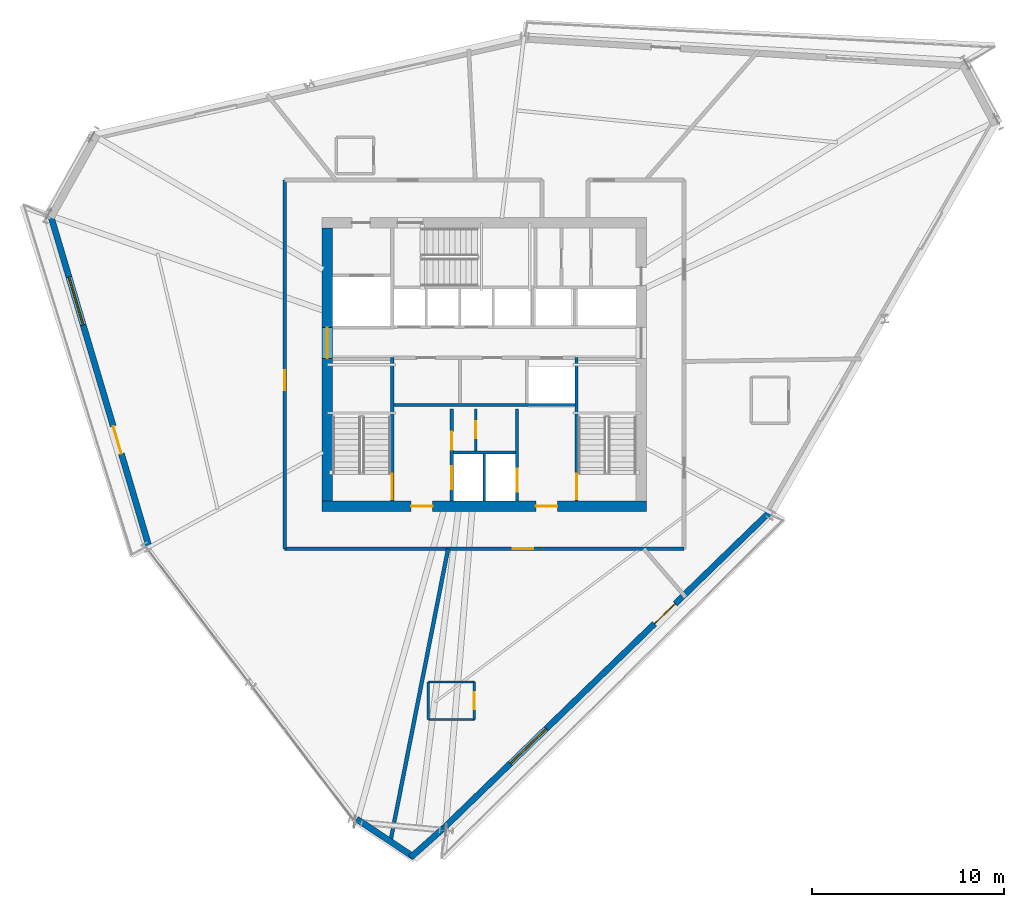
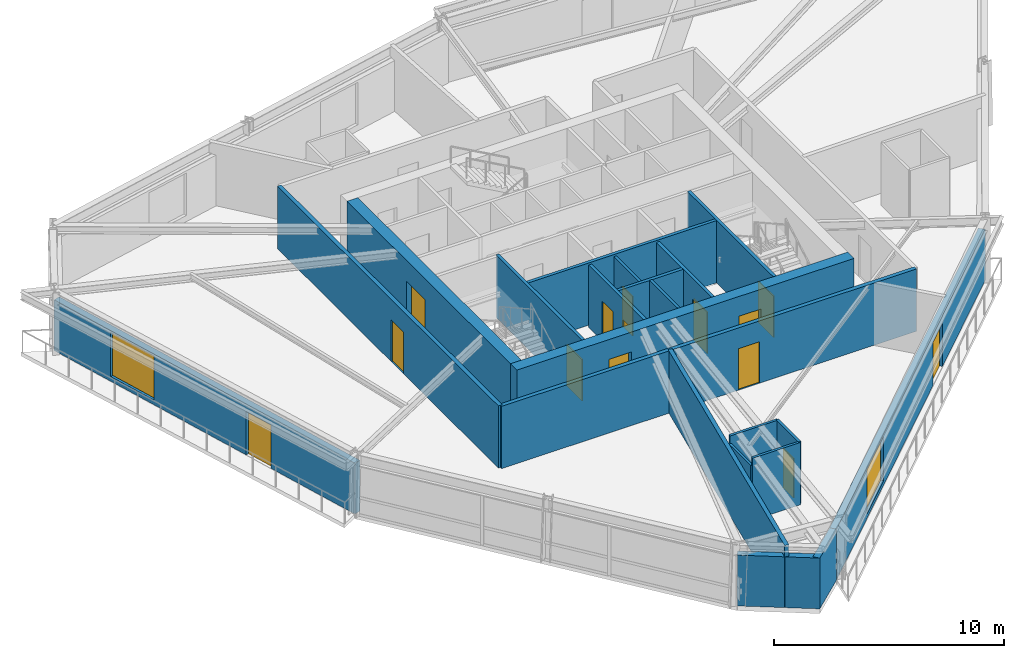
# One storey, part 8 of 14: 21 walls, 14 doors, 2 windows, 16 openings.
"""IFC4 building model written with IfcOpenShell, lengths in metres."""

from ifc_helpers import new_model, si_unit, direction, frame, frame_2d, origin, place, context, subcontext, project, spatial, rectangle, extrude, source, transform, mapped, material, layer, layer_set, type_object, type_shapes, element, fill, save


model = new_model("IFC4")

# Units and contexts
model_context = context("Model", 3, precision=1e-05, world=origin(), true_north=direction((0.0, 1.0)))
body_context = subcontext(model_context, "Body", "Model", "MODEL_VIEW")
ifc_project = project(units=[si_unit("LENGTHUNIT", "METRE"), si_unit("AREAUNIT", "SQUARE_METRE"), si_unit("VOLUMEUNIT", "CUBIC_METRE"), si_unit("PLANEANGLEUNIT", "RADIAN"), si_unit("MASSUNIT", "GRAM", prefix="KILO")], contexts=[model_context])

# Site, building, storey
site_placement = place(None, origin())
site = spatial("IfcSite", under=ifc_project, at=site_placement, CompositionType="ELEMENT")
building_placement = place(site_placement, origin())
building = spatial("IfcBuilding", under=site, at=building_placement, Name="Olszyna Solenne Hotel", CompositionType="ELEMENT")
storey_placement = place(building_placement, frame((0.0, 0.0, 153.699951171875)))
storey = spatial("IfcBuildingStorey", under=building, at=storey_placement, Name="L40", CompositionType="ELEMENT", Elevation=153.699951171875)

# Wall, openings, doors
ifc_material_1 = material(Name="Concrete C50/60", Category="concrete")
ifc_layer_1 = layer(ifc_material_1, 0.550048828125, Name="Concrete C50/60")
ifc_layer_set_1 = layer_set([ifc_layer_1], Name="Concrete C50/60")
wall_type_1 = type_object("IfcWallType", Name="WL-CR550", PredefinedType="SHEAR", material=ifc_layer_set_1)
wall_1_placement = place(storey_placement, frame((46.449951171875, 19.22509765625, 0.0), z_axis=(0.0, 0.0, 1.0), x_axis=(-1.0, 0.0, 0.0)))
wall_1 = element("IfcWall", 1, at=wall_1_placement, inside=storey, type_object=wall_type_1, Name="Core shear wall WL-CR550 CRW-L40-S", PredefinedType="SHEAR", context=body_context, shape_type="SweptSolid", body=[
    extrude(rectangle(XDim=16.89990234375, YDim=0.550048828125, at=frame_2d((8.449951171875, 0.0))), origin(), (0.0, 0.0, 1.0), 3.300048828125),
])
opening_1_placement = place(wall_1_placement, frame((4.64990234375, 0.0, 0.0)))
opening_1 = element("IfcOpeningElement", 2, at=opening_1_placement, cuts=wall_1, Name="Opening FL-L40-1", PredefinedType="OPENING", context=body_context, shape_type="SweptSolid", body=[
    extrude(rectangle(XDim=1.1201171875, YDim=2.25, at=frame_2d((0.56005859375, 1.125))), frame((0.0, 0.28515625, 0.0), z_axis=(0.0, -1.0, 0.0), x_axis=(1.0, 0.0, 0.0)), (0.0, 0.0, 1.0), 0.570068359375),
])
opening_2_placement = place(wall_1_placement, frame((11.14990234375, 0.0, 0.0)))
opening_2 = element("IfcOpeningElement", 3, at=opening_2_placement, cuts=wall_1, Name="Opening FL-L40-2", PredefinedType="OPENING", context=body_context, shape_type="SweptSolid", body=[
    extrude(rectangle(XDim=1.1201171875, YDim=2.25, at=frame_2d((0.56005859375, 1.125))), frame((0.0, 0.28515625, 0.0), z_axis=(0.0, -1.0, 0.0), x_axis=(1.0, 0.0, 0.0)), (0.0, 0.0, 1.0), 0.570068359375),
])
ifc_material_2 = material(Name="Steel S355J2", Category="steel")
door_type_1 = type_object("IfcDoorType", Name="DR-FL1", OperationType="NOTDEFINED", PredefinedType="DOOR", material=ifc_material_2)
shared_shape_1 = source(origin(), body_context, "Body", "SweptSolid", [
    extrude(rectangle(XDim=1.1201171875, YDim=2.25, at=frame_2d((0.56005859375, 1.125))), frame((0.0, 0.02490234375, 0.0), z_axis=(0.0, -1.0, 0.0), x_axis=(1.0, 0.0, 0.0)), (0.0, 0.0, 1.0), 0.050048828125),
])
type_shapes(door_type_1, [shared_shape_1])
door_1_placement = place(opening_1_placement, origin())
door_1 = element("IfcDoor", 4, at=door_1_placement, inside=storey, type_object=door_type_1, Name="Firefighting lift lobby smoke door FL-L40-1", OperationType="SINGLE_SWING_LEFT", OverallHeight=2.25, OverallWidth=1.1201171875, PredefinedType="DOOR", context=body_context, shape_type="MappedRepresentation", body=[
    mapped(shared_shape_1, transform((0.0, 0.0, 0.0), x_axis=(1.0, 0.0, 0.0), y_axis=(0.0, 1.0, 0.0), z_axis=(0.0, 0.0, 1.0), scale=1.0)),
])
fill(opening_1, door_1)
door_2_placement = place(opening_2_placement, origin())
door_2 = element("IfcDoor", 5, at=door_2_placement, inside=storey, type_object=door_type_1, Name="Firefighting lift lobby smoke door FL-L40-2", OperationType="SINGLE_SWING_RIGHT", OverallHeight=2.25, OverallWidth=1.1201171875, PredefinedType="DOOR", context=body_context, shape_type="MappedRepresentation", body=[
    mapped(shared_shape_1, transform((0.0, 0.0, 0.0), x_axis=(1.0, 0.0, 0.0), y_axis=(0.0, 1.0, 0.0), z_axis=(0.0, 0.0, 1.0), scale=1.0)),
])
fill(opening_2, door_2)

# Wall, opening, door
wall_2_placement = place(storey_placement, frame((29.824951171875, 19.5, 0.0), z_axis=(0.0, 0.0, 1.0), x_axis=(0.0, 1.0, 0.0)))
wall_2 = element("IfcWall", 6, at=wall_2_placement, inside=storey, type_object=wall_type_1, Name="Core shear wall WL-CR550 CRW-L40-W", PredefinedType="SHEAR", context=body_context, shape_type="SweptSolid", body=[
    extrude(rectangle(XDim=14.199951171875, YDim=0.550048828125, at=frame_2d((7.10009765625, 0.0))), origin(), (0.0, 0.0, 1.0), 3.300048828125),
])
opening_3_placement = place(wall_2_placement, frame((7.419921875, 0.0, 0.0)))
opening_3 = element("IfcOpeningElement", 7, at=opening_3_placement, cuts=wall_2, Name="Opening LHD-L40-W", PredefinedType="OPENING", context=body_context, shape_type="SweptSolid", body=[
    extrude(rectangle(XDim=1.60009765625, YDim=2.199951171875, at=frame_2d((0.800048828125, 1.10009765625))), frame((0.0, 0.28515625, 0.0), z_axis=(0.0, -1.0, 0.0), x_axis=(1.0, 0.0, 0.0)), (0.0, 0.0, 1.0), 0.570068359375),
])
ifc_material_3 = material(Name="Timber hardwood", Category="wood")
door_type_2 = type_object("IfcDoorType", Name="DR-CR1", OperationType="DOUBLE_DOOR_SINGLE_SWING", PredefinedType="DOOR", material=ifc_material_3)
shared_shape_2 = source(origin(), body_context, "Body", "SweptSolid", [
    extrude(rectangle(XDim=1.60009765625, YDim=2.199951171875, at=frame_2d((0.800048828125, 1.10009765625))), frame((0.0, 0.02490234375, 0.0), z_axis=(0.0, -1.0, 0.0), x_axis=(1.0, 0.0, 0.0)), (0.0, 0.0, 1.0), 0.050048828125),
])
type_shapes(door_type_2, [shared_shape_2])
door_3_placement = place(opening_3_placement, origin())
door_3 = element("IfcDoor", 8, at=door_3_placement, inside=storey, type_object=door_type_2, Name="Passenger lift lobby West fire door LHD-L40-W", OperationType="DOUBLE_DOOR_SINGLE_SWING", OverallHeight=2.199951171875, OverallWidth=1.60009765625, PredefinedType="DOOR", context=body_context, shape_type="MappedRepresentation", body=[
    mapped(shared_shape_2, transform((0.0, 0.0, 0.0), x_axis=(1.0, 0.0, 0.0), y_axis=(0.0, 1.0, 0.0), z_axis=(0.0, 0.0, 1.0), scale=1.0)),
])
fill(opening_3, door_3)

# Wall, openings, door, window
ifc_material_4 = material(Name="Precast concrete C45/55", Category="concrete")
ifc_layer_2 = layer(ifc_material_4, 0.320068359375, Name="Precast concrete C45/55")
ifc_layer_set_2 = layer_set([ifc_layer_2], Name="Precast concrete C45/55")
wall_type_2 = type_object("IfcWallType", Name="WL-EX320", PredefinedType="SOLIDWALL", material=ifc_layer_set_2)
wall_3_placement = place(storey_placement, frame((52.81640625, 18.87548828125, 0.0), z_axis=(0.0, 0.0, 1.0), x_axis=(-0.717927185301, -0.696118205914, 0.0)))
wall_3 = element("IfcWall", 9, at=wall_3_placement, inside=storey, type_object=wall_type_2, Name="Exterior terracotta-precast frame wall WL-EX320 EW-L40-01", PredefinedType="SOLIDWALL", context=body_context, shape_type="SweptSolid", body=[
    extrude(rectangle(XDim=23.597900390625, YDim=0.320068359375, at=frame_2d((11.798828125, 0.0))), origin(), (0.0, 0.0, 1.0), 2.692138671875),
])
opening_4_placement = place(wall_3_placement, frame((6.801025390625, 0.0, 0.0)))
opening_4 = element("IfcOpeningElement", 10, at=opening_4_placement, cuts=wall_3, Name="Opening LDG-L40-3", PredefinedType="OPENING", context=body_context, shape_type="SweptSolid", body=[
    extrude(rectangle(XDim=1.5, YDim=2.300048828125, at=frame_2d((0.75, 1.14990234375))), frame((0.0, 0.169921875, 0.0), z_axis=(0.0, -1.0, 0.0), x_axis=(1.0, 0.0, 0.0)), (0.0, 0.0, 1.0), 0.340087890625),
])
opening_5_placement = place(wall_3_placement, frame((16.1630859375, 0.0, 0.25)))
opening_5 = element("IfcOpeningElement", 11, at=opening_5_placement, cuts=wall_3, Name="Opening WN-L40-241", PredefinedType="OPENING", context=body_context, shape_type="SweptSolid", body=[
    extrude(rectangle(XDim=2.60009765625, YDim=2.35009765625, at=frame_2d((1.300048828125, 1.175048828125))), frame((0.0, 0.169921875, 0.0), z_axis=(0.0, -1.0, 0.0), x_axis=(1.0, 0.0, 0.0)), (0.0, 0.0, 1.0), 0.340087890625),
])
ifc_material_5 = material(Name="Anodised bronze aluminium", Category="aluminium")
door_type_3 = type_object("IfcDoorType", Name="DR-LG2", OperationType="DOUBLE_DOOR_SINGLE_SWING", PredefinedType="DOOR", material=ifc_material_5)
shared_shape_3 = source(origin(), body_context, "Body", "SweptSolid", [
    extrude(rectangle(XDim=1.5, YDim=2.300048828125, at=frame_2d((0.75, 1.14990234375))), frame((0.0, 0.02490234375, 0.0), z_axis=(0.0, -1.0, 0.0), x_axis=(1.0, 0.0, 0.0)), (0.0, 0.0, 1.0), 0.050048828125),
])
type_shapes(door_type_3, [shared_shape_3])
door_4_placement = place(opening_4_placement, origin())
door_4 = element("IfcDoor", 12, at=door_4_placement, inside=storey, type_object=door_type_3, Name="Exterior loggia balcony door DR-LG2 LDG-L40-3", OperationType="DOUBLE_DOOR_SINGLE_SWING", OverallHeight=2.300048828125, OverallWidth=1.5, PredefinedType="DOOR", context=body_context, shape_type="MappedRepresentation", body=[
    mapped(shared_shape_3, transform((0.0, 0.0, 0.0), x_axis=(1.0, 0.0, 0.0), y_axis=(0.0, 1.0, 0.0), z_axis=(0.0, 0.0, 1.0), scale=1.0)),
])
fill(opening_4, door_4)
ifc_material_6 = material(Name="Low-E triple glazing", Category="glass")
window_type = type_object("IfcWindowType", Name="WN-ST1", PartitioningType="SINGLE_PANEL", PredefinedType="WINDOW", material=ifc_material_6)
shared_shape_4 = source(origin(), body_context, "Body", "SweptSolid", [
    extrude(rectangle(XDim=2.60009765625, YDim=2.35009765625, at=frame_2d((1.300048828125, 1.175048828125))), frame((0.0, 0.030029296875, 0.0), z_axis=(0.0, -1.0, 0.0), x_axis=(1.0, 0.0, 0.0)), (0.0, 0.0, 1.0), 0.06005859375),
])
type_shapes(window_type, [shared_shape_4])
window_1_placement = place(opening_5_placement, origin())
window_1 = element("IfcWindow", 13, at=window_1_placement, inside=storey, type_object=window_type, Name="Loggia room window WN-ST1 WN-L40-241", OverallHeight=2.35009765625, OverallWidth=2.60009765625, PartitioningType="SINGLE_PANEL", PredefinedType="WINDOW", context=body_context, shape_type="MappedRepresentation", body=[
    mapped(shared_shape_4, transform((0.0, 0.0, 0.0), x_axis=(1.0, 0.0, 0.0), y_axis=(0.0, 1.0, 0.0), z_axis=(0.0, 0.0, 1.0), scale=1.0)),
])
fill(opening_5, window_1)

# Walls
wall_4_placement = place(storey_placement, frame((35.8798828125, 2.453125, 0.0), z_axis=(0.0, 0.0, 1.0), x_axis=(-0.748288552772, -0.663373380375, 0.0)))
element("IfcWall", 14, at=wall_4_placement, inside=storey, type_object=wall_type_2, Name="Exterior terracotta-precast frame wall WL-EX320 EW-L40-02", PredefinedType="SOLIDWALL", context=body_context, shape_type="SweptSolid", body=[
    extrude(rectangle(XDim=2.3115234375, YDim=0.320068359375, at=frame_2d((1.15576171875, 0.0))), origin(), (0.0, 0.0, 1.0), 2.692138671875),
])
wall_5_placement = place(storey_placement, frame((34.3447265625, 0.933349609375, 0.0), z_axis=(0.0, 0.0, 1.0), x_axis=(-0.832894192316, 0.553432258191, 0.0)))
element("IfcWall", 15, at=wall_5_placement, inside=storey, type_object=wall_type_2, Name="Exterior terracotta-precast frame wall WL-EX320 EW-L40-03", PredefinedType="SOLIDWALL", context=body_context, shape_type="SweptSolid", body=[
    extrude(rectangle(XDim=3.60107421875, YDim=0.320068359375, at=frame_2d((1.800537109375, 0.0))), origin(), (0.0, 0.0, 1.0), 2.692138671875),
])

# Wall, openings, door, window
wall_6_placement = place(storey_placement, frame((20.52001953125, 17.150146484375, 0.0), z_axis=(0.0, 0.0, 1.0), x_axis=(-0.284580549321, 0.958652132396, 0.0)))
wall_6 = element("IfcWall", 16, at=wall_6_placement, inside=storey, type_object=wall_type_2, Name="Exterior terracotta-precast frame wall WL-EX320 EW-L40-05", PredefinedType="SOLIDWALL", context=body_context, shape_type="SweptSolid", body=[
    extrude(rectangle(XDim=17.984130859375, YDim=0.320068359375, at=frame_2d((8.9921875, 0.0))), origin(), (0.0, 0.0, 1.0), 2.692138671875),
])
opening_6_placement = place(wall_6_placement, frame((5.0048828125, 0.0, 0.0)))
opening_6 = element("IfcOpeningElement", 17, at=opening_6_placement, cuts=wall_6, Name="Opening LDG-L40-2", PredefinedType="OPENING", context=body_context, shape_type="SweptSolid", body=[
    extrude(rectangle(XDim=1.5, YDim=2.300048828125, at=frame_2d((0.75, 1.14990234375))), frame((0.0, 0.169921875, 0.0), z_axis=(0.0, -1.0, 0.0), x_axis=(1.0, 0.0, 0.0)), (0.0, 0.0, 1.0), 0.340087890625),
])
opening_7_placement = place(wall_6_placement, frame((12.008056640625, 0.0, 0.25)))
opening_7 = element("IfcOpeningElement", 18, at=opening_7_placement, cuts=wall_6, Name="Opening WN-L40-242", PredefinedType="OPENING", context=body_context, shape_type="SweptSolid", body=[
    extrude(rectangle(XDim=2.60009765625, YDim=2.35009765625, at=frame_2d((1.300048828125, 1.175048828125))), frame((0.0, 0.169921875, 0.0), z_axis=(0.0, -1.0, 0.0), x_axis=(1.0, 0.0, 0.0)), (0.0, 0.0, 1.0), 0.340087890625),
])
door_5_placement = place(opening_6_placement, origin())
door_5 = element("IfcDoor", 19, at=door_5_placement, inside=storey, type_object=door_type_3, Name="Exterior loggia balcony door DR-LG2 LDG-L40-2", OperationType="DOUBLE_DOOR_SINGLE_SWING", OverallHeight=2.300048828125, OverallWidth=1.5, PredefinedType="DOOR", context=body_context, shape_type="MappedRepresentation", body=[
    mapped(shared_shape_3, transform((0.0, 0.0, 0.0), x_axis=(1.0, 0.0, 0.0), y_axis=(0.0, 1.0, 0.0), z_axis=(0.0, 0.0, 1.0), scale=1.0)),
])
fill(opening_6, door_5)
window_2_placement = place(opening_7_placement, origin())
window_2 = element("IfcWindow", 20, at=window_2_placement, inside=storey, type_object=window_type, Name="Loggia room window WN-ST1 WN-L40-242", OverallHeight=2.35009765625, OverallWidth=2.60009765625, PartitioningType="SINGLE_PANEL", PredefinedType="WINDOW", context=body_context, shape_type="MappedRepresentation", body=[
    mapped(shared_shape_4, transform((0.0, 0.0, 0.0), x_axis=(1.0, 0.0, 0.0), y_axis=(0.0, 1.0, 0.0), z_axis=(0.0, 0.0, 1.0), scale=1.0)),
])
fill(opening_7, window_2)

# Wall
ifc_material_7 = material(Name="Acoustic gypsum partition", Category="gypsum")
ifc_layer_3 = layer(ifc_material_7, 0.125, Name="Acoustic gypsum partition")
ifc_layer_set_3 = layer_set([ifc_layer_3], Name="Acoustic gypsum partition")
wall_type_3 = type_object("IfcWallType", Name="WL-PT125", PredefinedType="PARTITIONING", material=ifc_layer_set_3)
wall_7_placement = place(storey_placement, frame((38.0, 19.5, 0.0), z_axis=(0.0, 0.0, 1.0), x_axis=(0.0, 1.0, 0.0)))
element("IfcWall", 21, at=wall_7_placement, inside=storey, type_object=wall_type_3, Name="Core shaft compartment wall CW-L40-FFM", PredefinedType="PARTITIONING", context=body_context, shape_type="SweptSolid", body=[
    extrude(rectangle(XDim=2.4599609375, YDim=0.125, at=frame_2d((1.22998046875, 0.0))), origin(), (0.0, 0.0, 1.0), 3.300048828125),
])

# Wall, opening, door
wall_8_placement = place(storey_placement, frame((37.553955078125, 22.10009765625, 0.0), z_axis=(0.0, 0.0, 1.0), x_axis=(0.0, 1.0, 0.0)))
wall_8 = element("IfcWall", 22, at=wall_8_placement, inside=storey, type_object=wall_type_3, Name="Core shaft compartment wall CW-L40-SC3", PredefinedType="PARTITIONING", context=body_context, shape_type="SweptSolid", body=[
    extrude(rectangle(XDim=2.179931640625, YDim=0.125, at=frame_2d((1.08984375, 0.0))), origin(), (0.0, 0.0, 1.0), 3.300048828125),
])
opening_8_placement = place(wall_8_placement, frame((0.64990234375, 0.0, 0.0)))
opening_8 = element("IfcOpeningElement", 23, at=opening_8_placement, cuts=wall_8, Name="Opening SVD-L40-SC3", PredefinedType="OPENING", context=body_context, shape_type="SweptSolid", body=[
    extrude(rectangle(XDim=0.89990234375, YDim=2.10009765625, at=frame_2d((0.449951171875, 1.050048828125))), frame((0.0, 0.072509765625, 0.0), z_axis=(0.0, -1.0, 0.0), x_axis=(1.0, 0.0, 0.0)), (0.0, 0.0, 1.0), 0.14501953125),
])
door_type_4 = type_object("IfcDoorType", Name="DR-WC1", OperationType="NOTDEFINED", PredefinedType="DOOR", material=ifc_material_3)
shared_shape_5 = source(origin(), body_context, "Body", "SweptSolid", [
    extrude(rectangle(XDim=0.89990234375, YDim=2.10009765625, at=frame_2d((0.449951171875, 1.050048828125))), frame((0.0, 0.02490234375, 0.0), z_axis=(0.0, -1.0, 0.0), x_axis=(1.0, 0.0, 0.0)), (0.0, 0.0, 1.0), 0.050048828125),
])
type_shapes(door_type_4, [shared_shape_5])
door_6_placement = place(opening_8_placement, origin())
door_6 = element("IfcDoor", 24, at=door_6_placement, inside=storey, type_object=door_type_4, Name="Trolley bay door SVD-L40-SC3", OperationType="SINGLE_SWING_LEFT", OverallHeight=2.10009765625, OverallWidth=0.89990234375, PredefinedType="DOOR", context=body_context, shape_type="MappedRepresentation", body=[
    mapped(shared_shape_5, transform((0.0, 0.0, 0.0), x_axis=(1.0, 0.0, 0.0), y_axis=(0.0, 1.0, 0.0), z_axis=(0.0, 0.0, 1.0), scale=1.0)),
])
fill(opening_8, door_6)

wall_9_placement = place(storey_placement, frame((37.47802734375, 8.112060546875, 0.0), z_axis=(0.0, 0.0, 1.0), x_axis=(0.0, 1.0, 0.0)))
wall_9 = element("IfcWall", 25, at=wall_9_placement, inside=storey, type_object=wall_type_3, Name="Interior acoustic partition WL-PT125 PW-L40-2267", PredefinedType="PARTITIONING", context=body_context, shape_type="SweptSolid", body=[
    extrude(rectangle(XDim=1.949951171875, YDim=0.125, at=frame_2d((0.97509765625, 0.0))), origin(), (0.0, 0.0, 1.0), 3.300048828125),
])
opening_9_placement = place(wall_9_placement, frame((0.52490234375, 0.0, 0.0)))
opening_9 = element("IfcOpeningElement", 26, at=opening_9_placement, cuts=wall_9, Name="Opening DR-L40-0548", PredefinedType="OPENING", context=body_context, shape_type="SweptSolid", body=[
    extrude(rectangle(XDim=0.89990234375, YDim=2.10009765625, at=frame_2d((0.449951171875, 1.050048828125))), frame((0.0, 0.072509765625, 0.0), z_axis=(0.0, -1.0, 0.0), x_axis=(1.0, 0.0, 0.0)), (0.0, 0.0, 1.0), 0.14501953125),
])
door_7_placement = place(opening_9_placement, origin())
door_7 = element("IfcDoor", 27, at=door_7_placement, inside=storey, type_object=door_type_4, Name="En-Suite Bathroom Door DR-L40-0548", OperationType="SINGLE_SWING_RIGHT", OverallHeight=2.10009765625, OverallWidth=0.89990234375, PredefinedType="DOOR", context=body_context, shape_type="MappedRepresentation", body=[
    mapped(shared_shape_5, transform((0.0, 0.0, 0.0), x_axis=(1.0, 0.0, 0.0), y_axis=(0.0, 1.0, 0.0), z_axis=(0.0, 0.0, 1.0), scale=1.0)),
])
fill(opening_9, door_7)

# Walls
wall_10_placement = place(storey_placement, frame((37.47802734375, 10.06201171875, 0.0), z_axis=(0.0, 0.0, 1.0), x_axis=(-1.0, 0.0, 0.0)))
element("IfcWall", 28, at=wall_10_placement, inside=storey, type_object=wall_type_3, Name="Interior acoustic partition WL-PT125 PW-L40-2268", PredefinedType="PARTITIONING", context=body_context, shape_type="SweptSolid", body=[
    extrude(rectangle(XDim=2.400146484375, YDim=0.125, at=frame_2d((1.2001953125, 0.0))), origin(), (0.0, 0.0, 1.0), 3.300048828125),
])
wall_11_placement = place(storey_placement, frame((35.077880859375, 10.06201171875, 0.0), z_axis=(0.0, 0.0, 1.0), x_axis=(0.0, -1.0, 0.0)))
element("IfcWall", 29, at=wall_11_placement, inside=storey, type_object=wall_type_3, Name="Interior acoustic partition WL-PT125 PW-L40-2269", PredefinedType="PARTITIONING", context=body_context, shape_type="SweptSolid", body=[
    extrude(rectangle(XDim=1.949951171875, YDim=0.125, at=frame_2d((0.97509765625, 0.0))), origin(), (0.0, 0.0, 1.0), 2.89501953125),
])
wall_12_placement = place(storey_placement, frame((35.077880859375, 8.112060546875, 0.0), z_axis=(0.0, 0.0, 1.0), x_axis=(1.0, 0.0, 0.0)))
element("IfcWall", 30, at=wall_12_placement, inside=storey, type_object=wall_type_3, Name="Interior acoustic partition WL-PT125 PW-L40-2270", PredefinedType="PARTITIONING", context=body_context, shape_type="SweptSolid", body=[
    extrude(rectangle(XDim=2.400146484375, YDim=0.125, at=frame_2d((1.2001953125, 0.0))), origin(), (0.0, 0.0, 1.0), 3.300048828125),
])

# Wall, opening, door
ifc_layer_4 = layer(ifc_material_7, 0.159912109375, Name="Acoustic gypsum partition")
ifc_layer_set_4 = layer_set([ifc_layer_4], Name="Acoustic gypsum partition")
wall_type_4 = type_object("IfcWallType", Name="WL-PT160", PredefinedType="PARTITIONING", material=ifc_layer_set_4)
wall_13_placement = place(storey_placement, frame((33.199951171875, 19.5, 0.0), z_axis=(0.0, 0.0, 1.0), x_axis=(0.0, 1.0, 0.0)))
wall_13 = element("IfcWall", 31, at=wall_13_placement, inside=storey, type_object=wall_type_4, Name="Core shaft compartment wall CW-L40-ST1E", PredefinedType="PARTITIONING", context=body_context, shape_type="SweptSolid", body=[
    extrude(rectangle(XDim=7.4599609375, YDim=0.159912109375, at=frame_2d((3.72998046875, 0.0))), origin(), (0.0, 0.0, 1.0), 3.300048828125),
])
opening_10_placement = place(wall_13_placement, frame((0.080078125, 0.0, 0.0)))
opening_10 = element("IfcOpeningElement", 32, at=opening_10_placement, cuts=wall_13, Name="Opening STD-L40-01", PredefinedType="OPENING", context=body_context, shape_type="SweptSolid", body=[
    extrude(rectangle(XDim=1.320068359375, YDim=2.199951171875, at=frame_2d((0.66015625, 1.10009765625))), frame((0.0, 0.08984375, 0.0), z_axis=(0.0, -1.0, 0.0), x_axis=(1.0, 0.0, 0.0)), (0.0, 0.0, 1.0), 0.179931640625),
])
door_type_5 = type_object("IfcDoorType", Name="DR-ST1", OperationType="NOTDEFINED", PredefinedType="DOOR", material=ifc_material_2)
shared_shape_6 = source(origin(), body_context, "Body", "SweptSolid", [
    extrude(rectangle(XDim=1.320068359375, YDim=2.199951171875, at=frame_2d((0.66015625, 1.10009765625))), frame((0.0, 0.02490234375, 0.0), z_axis=(0.0, -1.0, 0.0), x_axis=(1.0, 0.0, 0.0)), (0.0, 0.0, 1.0), 0.050048828125),
])
type_shapes(door_type_5, [shared_shape_6])
door_8_placement = place(opening_10_placement, origin())
door_8 = element("IfcDoor", 33, at=door_8_placement, inside=storey, type_object=door_type_5, Name="Pressurised exit stair ST1 fire door STD-L40-01", OperationType="SINGLE_SWING_LEFT", OverallHeight=2.199951171875, OverallWidth=1.320068359375, PredefinedType="DOOR", context=body_context, shape_type="MappedRepresentation", body=[
    mapped(shared_shape_6, transform((0.0, 0.0, 0.0), x_axis=(1.0, 0.0, 0.0), y_axis=(0.0, 1.0, 0.0), z_axis=(0.0, 0.0, 1.0), scale=1.0)),
])
fill(opening_10, door_8)

wall_14_placement = place(storey_placement, frame((42.800048828125, 26.9599609375, 0.0), z_axis=(0.0, 0.0, 1.0), x_axis=(0.0, -1.0, 0.0)))
wall_14 = element("IfcWall", 34, at=wall_14_placement, inside=storey, type_object=wall_type_4, Name="Core shaft compartment wall CW-L40-ST2W", PredefinedType="PARTITIONING", context=body_context, shape_type="SweptSolid", body=[
    extrude(rectangle(XDim=7.4599609375, YDim=0.159912109375, at=frame_2d((3.72998046875, 0.0))), origin(), (0.0, 0.0, 1.0), 3.300048828125),
])
opening_11_placement = place(wall_14_placement, frame((6.06005859375, 0.0, 0.0)))
opening_11 = element("IfcOpeningElement", 35, at=opening_11_placement, cuts=wall_14, Name="Opening STD-L40-02", PredefinedType="OPENING", context=body_context, shape_type="SweptSolid", body=[
    extrude(rectangle(XDim=1.320068359375, YDim=2.199951171875, at=frame_2d((0.66015625, 1.10009765625))), frame((0.0, 0.08984375, 0.0), z_axis=(0.0, -1.0, 0.0), x_axis=(1.0, 0.0, 0.0)), (0.0, 0.0, 1.0), 0.179931640625),
])
door_9_placement = place(opening_11_placement, origin())
door_9 = element("IfcDoor", 36, at=door_9_placement, inside=storey, type_object=door_type_5, Name="Pressurised exit stair ST2 fire door STD-L40-02", OperationType="SINGLE_SWING_RIGHT", OverallHeight=2.199951171875, OverallWidth=1.320068359375, PredefinedType="DOOR", context=body_context, shape_type="MappedRepresentation", body=[
    mapped(shared_shape_6, transform((0.0, 0.0, 0.0), x_axis=(1.0, 0.0, 0.0), y_axis=(0.0, 1.0, 0.0), z_axis=(0.0, 0.0, 1.0), scale=1.0)),
])
fill(opening_11, door_9)

# Wall, openings, doors
wall_15_placement = place(storey_placement, frame((36.300048828125, 19.5, 0.0), z_axis=(0.0, 0.0, 1.0), x_axis=(0.0, 1.0, 0.0)))
wall_15 = element("IfcWall", 37, at=wall_15_placement, inside=storey, type_object=wall_type_4, Name="Core shaft compartment wall CW-L40-FF1W", PredefinedType="PARTITIONING", context=body_context, shape_type="SweptSolid", body=[
    extrude(rectangle(XDim=4.780029296875, YDim=0.159912109375, at=frame_2d((2.39013671875, 0.0))), origin(), (0.0, 0.0, 1.0), 3.300048828125),
])
opening_12_placement = place(wall_15_placement, frame((0.60009765625, 0.0, 0.0)))
opening_12 = element("IfcOpeningElement", 38, at=opening_12_placement, cuts=wall_15, Name="Opening LD-L40-FF1", PredefinedType="OPENING", context=body_context, shape_type="SweptSolid", body=[
    extrude(rectangle(XDim=1.199951171875, YDim=2.199951171875, at=frame_2d((0.60009765625, 1.10009765625))), frame((0.0, 0.08984375, 0.0), z_axis=(0.0, -1.0, 0.0), x_axis=(1.0, 0.0, 0.0)), (0.0, 0.0, 1.0), 0.179931640625),
])
opening_13_placement = place(wall_15_placement, frame((2.64990234375, 0.0, 0.0)))
opening_13 = element("IfcOpeningElement", 39, at=opening_13_placement, cuts=wall_15, Name="Opening SVD-L40-SMK", PredefinedType="OPENING", context=body_context, shape_type="SweptSolid", body=[
    extrude(rectangle(XDim=0.949951171875, YDim=2.10009765625, at=frame_2d((0.47509765625, 1.050048828125))), frame((0.0, 0.08984375, 0.0), z_axis=(0.0, -1.0, 0.0), x_axis=(1.0, 0.0, 0.0)), (0.0, 0.0, 1.0), 0.179931640625),
])
door_type_6 = type_object("IfcDoorType", Name="DR-SV1", OperationType="NOTDEFINED", PredefinedType="DOOR", material=ifc_material_2)
shared_shape_7 = source(origin(), body_context, "Body", "SweptSolid", [
    extrude(rectangle(XDim=0.949951171875, YDim=2.10009765625, at=frame_2d((0.47509765625, 1.050048828125))), frame((0.0, 0.02490234375, 0.0), z_axis=(0.0, -1.0, 0.0), x_axis=(1.0, 0.0, 0.0)), (0.0, 0.0, 1.0), 0.050048828125),
])
type_shapes(door_type_6, [shared_shape_7])
door_10_placement = place(opening_13_placement, origin())
door_10 = element("IfcDoor", 40, at=door_10_placement, inside=storey, type_object=door_type_6, Name="Valet and core service room door SVD-L40-SMK", OperationType="SINGLE_SWING_LEFT", OverallHeight=2.10009765625, OverallWidth=0.949951171875, PredefinedType="DOOR", context=body_context, shape_type="MappedRepresentation", body=[
    mapped(shared_shape_7, transform((0.0, 0.0, 0.0), x_axis=(1.0, 0.0, 0.0), y_axis=(0.0, 1.0, 0.0), z_axis=(0.0, 0.0, 1.0), scale=1.0)),
])
fill(opening_13, door_10)
door_type_7 = type_object("IfcDoorType", Name="LD-FF1", OperationType="DOUBLE_DOOR_SLIDING", PredefinedType="DOOR", material=ifc_material_2)
shared_shape_8 = source(origin(), body_context, "Body", "SweptSolid", [
    extrude(rectangle(XDim=1.199951171875, YDim=2.199951171875, at=frame_2d((0.60009765625, 1.10009765625))), frame((0.0, 0.02490234375, 0.0), z_axis=(0.0, -1.0, 0.0), x_axis=(1.0, 0.0, 0.0)), (0.0, 0.0, 1.0), 0.050048828125),
])
type_shapes(door_type_7, [shared_shape_8])
door_11_placement = place(opening_12_placement, origin())
door_11 = element("IfcDoor", 41, at=door_11_placement, inside=storey, type_object=door_type_7, Name="Firefighters lift FF1 sliding landing door LD-L40-FF1", OperationType="DOUBLE_DOOR_SLIDING", OverallHeight=2.199951171875, OverallWidth=1.199951171875, PredefinedType="DOOR", context=body_context, shape_type="MappedRepresentation", body=[
    mapped(shared_shape_8, transform((0.0, 0.0, 0.0), x_axis=(1.0, 0.0, 0.0), y_axis=(0.0, 1.0, 0.0), z_axis=(0.0, 0.0, 1.0), scale=1.0)),
])
fill(opening_12, door_11)

# Wall, opening, door
wall_16_placement = place(storey_placement, frame((39.699951171875, 24.280029296875, 0.0), z_axis=(0.0, 0.0, 1.0), x_axis=(0.0, -1.0, 0.0)))
wall_16 = element("IfcWall", 42, at=wall_16_placement, inside=storey, type_object=wall_type_4, Name="Core shaft compartment wall CW-L40-FF2E", PredefinedType="PARTITIONING", context=body_context, shape_type="SweptSolid", body=[
    extrude(rectangle(XDim=4.780029296875, YDim=0.159912109375, at=frame_2d((2.39013671875, 0.0))), origin(), (0.0, 0.0, 1.0), 3.300048828125),
])
opening_14_placement = place(wall_16_placement, frame((3.1201171875, 0.0, 0.0)))
opening_14 = element("IfcOpeningElement", 43, at=opening_14_placement, cuts=wall_16, Name="Opening LD-L40-FF2", PredefinedType="OPENING", context=body_context, shape_type="SweptSolid", body=[
    extrude(rectangle(XDim=1.199951171875, YDim=2.199951171875, at=frame_2d((0.60009765625, 1.10009765625))), frame((0.0, 0.08984375, 0.0), z_axis=(0.0, -1.0, 0.0), x_axis=(1.0, 0.0, 0.0)), (0.0, 0.0, 1.0), 0.179931640625),
])
door_12_placement = place(opening_14_placement, origin())
door_12 = element("IfcDoor", 44, at=door_12_placement, inside=storey, type_object=door_type_7, Name="Firefighters lift FF2 sliding landing door LD-L40-FF2", OperationType="DOUBLE_DOOR_SLIDING", OverallHeight=2.199951171875, OverallWidth=1.199951171875, PredefinedType="DOOR", context=body_context, shape_type="MappedRepresentation", body=[
    mapped(shared_shape_8, transform((0.0, 0.0, 0.0), x_axis=(1.0, 0.0, 0.0), y_axis=(0.0, 1.0, 0.0), z_axis=(0.0, 0.0, 1.0), scale=1.0)),
])
fill(opening_14, door_12)

# Walls
wall_17_placement = place(storey_placement, frame((36.3798828125, 22.02001953125, 0.0), z_axis=(0.0, 0.0, 1.0), x_axis=(1.0, 0.0, 0.0)))
element("IfcWall", 45, at=wall_17_placement, inside=storey, type_object=wall_type_4, Name="Core shaft compartment wall CW-L40-FFN", PredefinedType="PARTITIONING", context=body_context, shape_type="SweptSolid", body=[
    extrude(rectangle(XDim=3.240234375, YDim=0.159912109375, at=frame_2d((1.6201171875, 0.0))), origin(), (0.0, 0.0, 1.0), 3.300048828125),
])
wall_18_placement = place(storey_placement, frame((33.280029296875, 24.489990234375, 0.0), z_axis=(0.0, 0.0, 1.0), x_axis=(1.0, 0.0, 0.0)))
element("IfcWall", 46, at=wall_18_placement, inside=storey, type_object=wall_type_4, Name="Core shaft compartment wall CW-L40-FFBN", PredefinedType="PARTITIONING", context=body_context, shape_type="SweptSolid", body=[
    extrude(rectangle(XDim=9.43994140625, YDim=0.159912109375, at=frame_2d((4.719970703125, 0.0))), origin(), (0.0, 0.0, 1.0), 3.300048828125),
])
ifc_layer_5 = layer(ifc_material_7, 0.199951171875, Name="Acoustic gypsum partition")
ifc_layer_set_5 = layer_set([ifc_layer_5], Name="Acoustic gypsum partition")
wall_type_5 = type_object("IfcWallType", Name="WL-PT200", PredefinedType="PARTITIONING", material=ifc_layer_set_5)
wall_19_placement = place(storey_placement, frame((36.10791015625, 17.0, 0.0), z_axis=(0.0, 0.0, 1.0), x_axis=(-0.193383912319, -0.981123163755, 0.0)))
element("IfcWall", 47, at=wall_19_placement, inside=storey, type_object=wall_type_5, Name="Interior acoustic partition WL-PT200 PW-L40-2262", PredefinedType="PARTITIONING", context=body_context, shape_type="SweptSolid", body=[
    extrude(rectangle(XDim=15.676025390625, YDim=0.199951171875, at=frame_2d((7.837890625, 0.0))), origin(), (0.0, 0.0, 1.0), 3.300048828125),
])

# Wall, opening, door
wall_20_placement = place(storey_placement, frame((27.60009765625, 17.0, 0.0), z_axis=(0.0, 0.0, 1.0), x_axis=(1.0, 0.0, 0.0)))
wall_20 = element("IfcWall", 48, at=wall_20_placement, inside=storey, type_object=wall_type_5, Name="Interior acoustic partition WL-PT200 PW-L40-2279", PredefinedType="PARTITIONING", context=body_context, shape_type="SweptSolid", body=[
    extrude(rectangle(XDim=20.7998046875, YDim=0.199951171875, at=frame_2d((10.39990234375, 0.0))), origin(), (0.0, 0.0, 1.0), 3.300048828125),
])
opening_15_placement = place(wall_20_placement, frame((11.885009765625, 0.0, 0.0)))
opening_15 = element("IfcOpeningElement", 49, at=opening_15_placement, cuts=wall_20, Name="Opening DR-L40-0551", PredefinedType="OPENING", context=body_context, shape_type="SweptSolid", body=[
    extrude(rectangle(XDim=1.050048828125, YDim=2.199951171875, at=frame_2d((0.52490234375, 1.10009765625))), frame((0.0, 0.10986328125, 0.0), z_axis=(0.0, -1.0, 0.0), x_axis=(1.0, 0.0, 0.0)), (0.0, 0.0, 1.0), 0.219970703125),
])
door_type_8 = type_object("IfcDoorType", Name="DR-RM2", OperationType="NOTDEFINED", PredefinedType="DOOR", material=ifc_material_3)
shared_shape_9 = source(origin(), body_context, "Body", "SweptSolid", [
    extrude(rectangle(XDim=1.050048828125, YDim=2.199951171875, at=frame_2d((0.52490234375, 1.10009765625))), frame((0.0, 0.02490234375, 0.0), z_axis=(0.0, -1.0, 0.0), x_axis=(1.0, 0.0, 0.0)), (0.0, 0.0, 1.0), 0.050048828125),
])
type_shapes(door_type_8, [shared_shape_9])
door_13_placement = place(opening_15_placement, origin())
door_13 = element("IfcDoor", 50, at=door_13_placement, inside=storey, type_object=door_type_8, Name="Premier King Suite Entrance Door DR-L40-0551", OperationType="SINGLE_SWING_LEFT", OverallHeight=2.199951171875, OverallWidth=1.050048828125, PredefinedType="DOOR", context=body_context, shape_type="MappedRepresentation", body=[
    mapped(shared_shape_9, transform((0.0, 0.0, 0.0), x_axis=(1.0, 0.0, 0.0), y_axis=(0.0, 1.0, 0.0), z_axis=(0.0, 0.0, 1.0), scale=1.0)),
])
fill(opening_15, door_13)

wall_21_placement = place(storey_placement, frame((27.60009765625, 17.0, 0.0), z_axis=(0.0, 0.0, 1.0), x_axis=(0.0, 1.0, 0.0)))
wall_21 = element("IfcWall", 51, at=wall_21_placement, inside=storey, type_object=wall_type_5, Name="Interior acoustic partition WL-PT200 PW-L40-2280", PredefinedType="PARTITIONING", context=body_context, shape_type="SweptSolid", body=[
    extrude(rectangle(XDim=19.199951171875, YDim=0.199951171875, at=frame_2d((9.60009765625, 0.0))), origin(), (0.0, 0.0, 1.0), 3.300048828125),
])
opening_16_placement = place(wall_21_placement, frame((8.258056640625, 0.0, 0.0)))
opening_16 = element("IfcOpeningElement", 52, at=opening_16_placement, cuts=wall_21, Name="Opening DR-L40-0552", PredefinedType="OPENING", context=body_context, shape_type="SweptSolid", body=[
    extrude(rectangle(XDim=1.050048828125, YDim=2.199951171875, at=frame_2d((0.52490234375, 1.10009765625))), frame((0.0, 0.10986328125, 0.0), z_axis=(0.0, -1.0, 0.0), x_axis=(1.0, 0.0, 0.0)), (0.0, 0.0, 1.0), 0.219970703125),
])
door_14_placement = place(opening_16_placement, origin())
door_14 = element("IfcDoor", 53, at=door_14_placement, inside=storey, type_object=door_type_8, Name="Executive Club Lounge Entrance Door DR-L40-0552", OperationType="SINGLE_SWING_RIGHT", OverallHeight=2.199951171875, OverallWidth=1.050048828125, PredefinedType="DOOR", context=body_context, shape_type="MappedRepresentation", body=[
    mapped(shared_shape_9, transform((0.0, 0.0, 0.0), x_axis=(1.0, 0.0, 0.0), y_axis=(0.0, 1.0, 0.0), z_axis=(0.0, 0.0, 1.0), scale=1.0)),
])
fill(opening_16, door_14)

save(model, "model.ifc")
